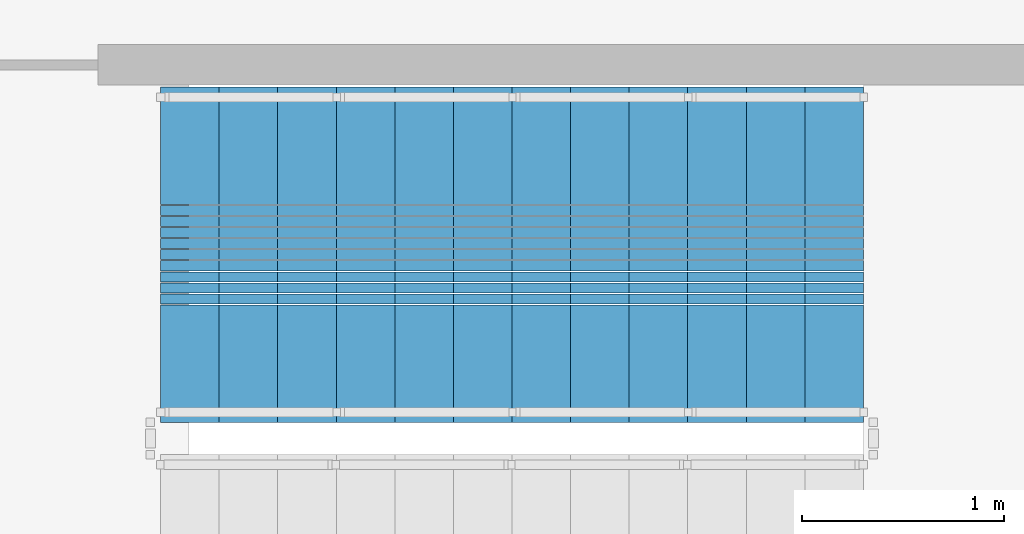
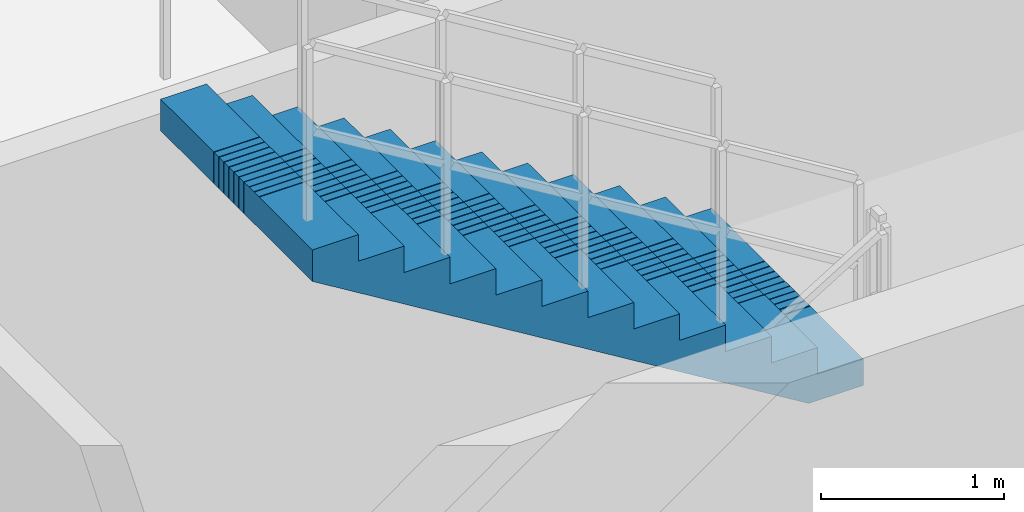
# One storey, part 8 of 12: 1 stair flight, 1 element without a shape of its own.
"""IFC4 building model written with IfcOpenShell, lengths in metres."""

from ifc_helpers import new_model, si_unit, direction, frame, origin, place, context, subcontext, project, spatial, polyline, outline, extrude, material, type_object, element, aggregate, save


model = new_model("IFC4")

# Units and contexts
model_context = context("Model", 3, precision=1e-05, world=origin(), true_north=direction((0.0, 1.0)))
body_context = subcontext(model_context, "Body", "Model", "MODEL_VIEW")
ifc_project = project(units=[si_unit("LENGTHUNIT", "METRE"), si_unit("AREAUNIT", "SQUARE_METRE"), si_unit("VOLUMEUNIT", "CUBIC_METRE"), si_unit("PLANEANGLEUNIT", "RADIAN"), si_unit("MASSUNIT", "GRAM", prefix="KILO")], contexts=[model_context])

# Site, building, storey
site_placement = place(None, origin())
site = spatial("IfcSite", under=ifc_project, at=site_placement, CompositionType="ELEMENT")
building_placement = place(site_placement, origin())
building = spatial("IfcBuilding", under=site, at=building_placement, Name="Saelheon Loggia Tower", CompositionType="ELEMENT")
storey_placement = place(building_placement, frame((0.0, 0.0, -4.60009765625)))
storey = spatial("IfcBuildingStorey", under=building, at=storey_placement, Name="B1", CompositionType="ELEMENT", Elevation=-4.60009765625)

# Stair, stair flight
ifc_material = material(Name="Concrete C40/50", Category="concrete")
stair_type = type_object("IfcStairType", Name="Stair_Escape_Podium", PredefinedType="HALF_TURN_STAIR", material=ifc_material)
stair_placement = place(storey_placement, origin())
stair = element("IfcStair", 1, at=stair_placement, inside=storey, type_object=stair_type, Name="B1 Podium Escape Stair ST4", PredefinedType="HALF_TURN_STAIR")
stair_flight_type = type_object("IfcStairFlightType", Name="StairFlight_Podium_1660", PredefinedType="STRAIGHT", material=ifc_material)
stair_flight_placement = place(storey_placement, frame((69.330078125, 3.449951171875, 2.300048828125), z_axis=(0.0, 0.0, 1.0), x_axis=(-1.0, 0.0, 0.0)))
stair_flight = element("IfcStairFlight", 2, at=stair_flight_placement, type_object=stair_flight_type, Name="ST4 flight 2", NumberOfRisers=13, NumberOfTreads=12, PredefinedType="STRAIGHT", RiserHeight=0.176923077, TreadLength=0.29, context=body_context, shape_type="SweptSolid", body=[
    extrude(outline(polyline([(0.0, 0.0), (0.0, 0.177001953125), (0.2900390625, 0.177001953125), (0.2900390625, 0.353759765625), (0.580078125, 0.353759765625), (0.580078125, 0.53076171875), (0.8701171875, 0.53076171875), (0.8701171875, 0.707763671875), (1.159912109375, 0.707763671875), (1.159912109375, 0.884521484375), (1.449951171875, 0.884521484375), (1.449951171875, 1.0615234375), (1.739990234375, 1.0615234375), (1.739990234375, 1.238525390625), (2.030029296875, 1.238525390625), (2.030029296875, 1.415283203125), (2.320068359375, 1.415283203125), (2.320068359375, 1.59228515625), (2.610107421875, 1.59228515625), (2.610107421875, 1.769287109375), (2.89990234375, 1.769287109375), (2.89990234375, 1.946044921875), (3.18994140625, 1.946044921875), (3.18994140625, 2.123046875), (3.47998046875, 2.123046875), (3.47998046875, 2.300048828125), (3.47998046875, 1.912353515625), (0.345458984375, 0.0), (0.0, 0.0)])), frame((0.0, -0.2490234375, 0.0), z_axis=(0.0, -1.0, 0.0), x_axis=(1.0, 0.0, 0.0)), (0.0, 0.0, 1.0), 0.5810546875),
    extrude(outline(polyline([(0.0, 0.0), (0.0, 0.177001953125), (0.2900390625, 0.177001953125), (0.2900390625, 0.353759765625), (0.580078125, 0.353759765625), (0.580078125, 0.53076171875), (0.8701171875, 0.53076171875), (0.8701171875, 0.707763671875), (1.159912109375, 0.707763671875), (1.159912109375, 0.884521484375), (1.449951171875, 0.884521484375), (1.449951171875, 1.0615234375), (1.739990234375, 1.0615234375), (1.739990234375, 1.238525390625), (2.030029296875, 1.238525390625), (2.030029296875, 1.415283203125), (2.320068359375, 1.415283203125), (2.320068359375, 1.59228515625), (2.610107421875, 1.59228515625), (2.610107421875, 1.769287109375), (2.89990234375, 1.769287109375), (2.89990234375, 1.946044921875), (3.18994140625, 1.946044921875), (3.18994140625, 2.123046875), (3.47998046875, 2.123046875), (3.47998046875, 2.300048828125), (3.47998046875, 1.912353515625), (0.345458984375, 0.0), (0.0, 0.0)])), frame((0.0, -0.194091796875, 0.0), z_axis=(0.0, -1.0, 0.0), x_axis=(1.0, 0.0, 0.0)), (0.0, 0.0, 1.0), 0.0498046875),
    extrude(outline(polyline([(0.0, 0.0), (0.0, 0.177001953125), (0.2900390625, 0.177001953125), (0.2900390625, 0.353759765625), (0.580078125, 0.353759765625), (0.580078125, 0.53076171875), (0.8701171875, 0.53076171875), (0.8701171875, 0.707763671875), (1.159912109375, 0.707763671875), (1.159912109375, 0.884521484375), (1.449951171875, 0.884521484375), (1.449951171875, 1.0615234375), (1.739990234375, 1.0615234375), (1.739990234375, 1.238525390625), (2.030029296875, 1.238525390625), (2.030029296875, 1.415283203125), (2.320068359375, 1.415283203125), (2.320068359375, 1.59228515625), (2.610107421875, 1.59228515625), (2.610107421875, 1.769287109375), (2.89990234375, 1.769287109375), (2.89990234375, 1.946044921875), (3.18994140625, 1.946044921875), (3.18994140625, 2.123046875), (3.47998046875, 2.123046875), (3.47998046875, 2.300048828125), (3.47998046875, 1.912353515625), (0.345458984375, 0.0), (0.0, 0.0)])), frame((0.0, -0.139404296875, 0.0), z_axis=(0.0, -1.0, 0.0), x_axis=(1.0, 0.0, 0.0)), (0.0, 0.0, 1.0), 0.0498046875),
    extrude(outline(polyline([(0.0, 0.0), (0.0, 0.177001953125), (0.2900390625, 0.177001953125), (0.2900390625, 0.353759765625), (0.580078125, 0.353759765625), (0.580078125, 0.53076171875), (0.8701171875, 0.53076171875), (0.8701171875, 0.707763671875), (1.159912109375, 0.707763671875), (1.159912109375, 0.884521484375), (1.449951171875, 0.884521484375), (1.449951171875, 1.0615234375), (1.739990234375, 1.0615234375), (1.739990234375, 1.238525390625), (2.030029296875, 1.238525390625), (2.030029296875, 1.415283203125), (2.320068359375, 1.415283203125), (2.320068359375, 1.59228515625), (2.610107421875, 1.59228515625), (2.610107421875, 1.769287109375), (2.89990234375, 1.769287109375), (2.89990234375, 1.946044921875), (3.18994140625, 1.946044921875), (3.18994140625, 2.123046875), (3.47998046875, 2.123046875), (3.47998046875, 2.300048828125), (3.47998046875, 1.912353515625), (0.345458984375, 0.0), (0.0, 0.0)])), frame((0.0, -0.084716796875, 0.0), z_axis=(0.0, -1.0, 0.0), x_axis=(1.0, 0.0, 0.0)), (0.0, 0.0, 1.0), 0.0498046875),
    extrude(outline(polyline([(0.0, 0.0), (0.0, 0.177001953125), (0.2900390625, 0.177001953125), (0.2900390625, 0.353759765625), (0.580078125, 0.353759765625), (0.580078125, 0.53076171875), (0.8701171875, 0.53076171875), (0.8701171875, 0.707763671875), (1.159912109375, 0.707763671875), (1.159912109375, 0.884521484375), (1.449951171875, 0.884521484375), (1.449951171875, 1.0615234375), (1.739990234375, 1.0615234375), (1.739990234375, 1.238525390625), (2.030029296875, 1.238525390625), (2.030029296875, 1.415283203125), (2.320068359375, 1.415283203125), (2.320068359375, 1.59228515625), (2.610107421875, 1.59228515625), (2.610107421875, 1.769287109375), (2.89990234375, 1.769287109375), (2.89990234375, 1.946044921875), (3.18994140625, 1.946044921875), (3.18994140625, 2.123046875), (3.47998046875, 2.123046875), (3.47998046875, 2.300048828125), (3.47998046875, 1.912353515625), (0.345458984375, 0.0), (0.0, 0.0)])), frame((0.0, -0.02978515625, 0.0), z_axis=(0.0, -1.0, 0.0), x_axis=(1.0, 0.0, 0.0)), (0.0, 0.0, 1.0), 0.0498046875),
    extrude(outline(polyline([(0.0, 0.0), (0.0, 0.177001953125), (0.2900390625, 0.177001953125), (0.2900390625, 0.353759765625), (0.580078125, 0.353759765625), (0.580078125, 0.53076171875), (0.8701171875, 0.53076171875), (0.8701171875, 0.707763671875), (1.159912109375, 0.707763671875), (1.159912109375, 0.884521484375), (1.449951171875, 0.884521484375), (1.449951171875, 1.0615234375), (1.739990234375, 1.0615234375), (1.739990234375, 1.238525390625), (2.030029296875, 1.238525390625), (2.030029296875, 1.415283203125), (2.320068359375, 1.415283203125), (2.320068359375, 1.59228515625), (2.610107421875, 1.59228515625), (2.610107421875, 1.769287109375), (2.89990234375, 1.769287109375), (2.89990234375, 1.946044921875), (3.18994140625, 1.946044921875), (3.18994140625, 2.123046875), (3.47998046875, 2.123046875), (3.47998046875, 2.300048828125), (3.47998046875, 1.912353515625), (0.345458984375, 0.0), (0.0, 0.0)])), frame((0.0, 0.02490234375, 0.0), z_axis=(0.0, -1.0, 0.0), x_axis=(1.0, 0.0, 0.0)), (0.0, 0.0, 1.0), 0.0498046875),
    extrude(outline(polyline([(0.0, 0.0), (0.0, 0.177001953125), (0.2900390625, 0.177001953125), (0.2900390625, 0.353759765625), (0.580078125, 0.353759765625), (0.580078125, 0.53076171875), (0.8701171875, 0.53076171875), (0.8701171875, 0.707763671875), (1.159912109375, 0.707763671875), (1.159912109375, 0.884521484375), (1.449951171875, 0.884521484375), (1.449951171875, 1.0615234375), (1.739990234375, 1.0615234375), (1.739990234375, 1.238525390625), (2.030029296875, 1.238525390625), (2.030029296875, 1.415283203125), (2.320068359375, 1.415283203125), (2.320068359375, 1.59228515625), (2.610107421875, 1.59228515625), (2.610107421875, 1.769287109375), (2.89990234375, 1.769287109375), (2.89990234375, 1.946044921875), (3.18994140625, 1.946044921875), (3.18994140625, 2.123046875), (3.47998046875, 2.123046875), (3.47998046875, 2.300048828125), (3.47998046875, 1.912353515625), (0.345458984375, 0.0), (0.0, 0.0)])), frame((0.0, 0.07958984375, 0.0), z_axis=(0.0, -1.0, 0.0), x_axis=(1.0, 0.0, 0.0)), (0.0, 0.0, 1.0), 0.0498046875),
    extrude(outline(polyline([(0.0, 0.0), (0.0, 0.177001953125), (0.2900390625, 0.177001953125), (0.2900390625, 0.353759765625), (0.580078125, 0.353759765625), (0.580078125, 0.53076171875), (0.8701171875, 0.53076171875), (0.8701171875, 0.707763671875), (1.159912109375, 0.707763671875), (1.159912109375, 0.884521484375), (1.449951171875, 0.884521484375), (1.449951171875, 1.0615234375), (1.739990234375, 1.0615234375), (1.739990234375, 1.238525390625), (2.030029296875, 1.238525390625), (2.030029296875, 1.415283203125), (2.320068359375, 1.415283203125), (2.320068359375, 1.59228515625), (2.610107421875, 1.59228515625), (2.610107421875, 1.769287109375), (2.89990234375, 1.769287109375), (2.89990234375, 1.946044921875), (3.18994140625, 1.946044921875), (3.18994140625, 2.123046875), (3.47998046875, 2.123046875), (3.47998046875, 2.300048828125), (3.47998046875, 1.912353515625), (0.345458984375, 0.0), (0.0, 0.0)])), frame((0.0, 0.134521484375, 0.0), z_axis=(0.0, -1.0, 0.0), x_axis=(1.0, 0.0, 0.0)), (0.0, 0.0, 1.0), 0.0498046875),
    extrude(outline(polyline([(0.0, 0.0), (0.0, 0.177001953125), (0.2900390625, 0.177001953125), (0.2900390625, 0.353759765625), (0.580078125, 0.353759765625), (0.580078125, 0.53076171875), (0.8701171875, 0.53076171875), (0.8701171875, 0.707763671875), (1.159912109375, 0.707763671875), (1.159912109375, 0.884521484375), (1.449951171875, 0.884521484375), (1.449951171875, 1.0615234375), (1.739990234375, 1.0615234375), (1.739990234375, 1.238525390625), (2.030029296875, 1.238525390625), (2.030029296875, 1.415283203125), (2.320068359375, 1.415283203125), (2.320068359375, 1.59228515625), (2.610107421875, 1.59228515625), (2.610107421875, 1.769287109375), (2.89990234375, 1.769287109375), (2.89990234375, 1.946044921875), (3.18994140625, 1.946044921875), (3.18994140625, 2.123046875), (3.47998046875, 2.123046875), (3.47998046875, 2.300048828125), (3.47998046875, 1.912353515625), (0.345458984375, 0.0), (0.0, 0.0)])), frame((0.0, 0.189208984375, 0.0), z_axis=(0.0, -1.0, 0.0), x_axis=(1.0, 0.0, 0.0)), (0.0, 0.0, 1.0), 0.0498046875),
    extrude(outline(polyline([(0.0, 0.0), (0.0, 0.177001953125), (0.2900390625, 0.177001953125), (0.2900390625, 0.353759765625), (0.580078125, 0.353759765625), (0.580078125, 0.53076171875), (0.8701171875, 0.53076171875), (0.8701171875, 0.707763671875), (1.159912109375, 0.707763671875), (1.159912109375, 0.884521484375), (1.449951171875, 0.884521484375), (1.449951171875, 1.0615234375), (1.739990234375, 1.0615234375), (1.739990234375, 1.238525390625), (2.030029296875, 1.238525390625), (2.030029296875, 1.415283203125), (2.320068359375, 1.415283203125), (2.320068359375, 1.59228515625), (2.610107421875, 1.59228515625), (2.610107421875, 1.769287109375), (2.89990234375, 1.769287109375), (2.89990234375, 1.946044921875), (3.18994140625, 1.946044921875), (3.18994140625, 2.123046875), (3.47998046875, 2.123046875), (3.47998046875, 2.300048828125), (3.47998046875, 1.912353515625), (0.345458984375, 0.0), (0.0, 0.0)])), frame((0.0, 0.243896484375, 0.0), z_axis=(0.0, -1.0, 0.0), x_axis=(1.0, 0.0, 0.0)), (0.0, 0.0, 1.0), 0.0498046875),
    extrude(outline(polyline([(0.0, 0.0), (0.0, 0.177001953125), (0.2900390625, 0.177001953125), (0.2900390625, 0.353759765625), (0.580078125, 0.353759765625), (0.580078125, 0.53076171875), (0.8701171875, 0.53076171875), (0.8701171875, 0.707763671875), (1.159912109375, 0.707763671875), (1.159912109375, 0.884521484375), (1.449951171875, 0.884521484375), (1.449951171875, 1.0615234375), (1.739990234375, 1.0615234375), (1.739990234375, 1.238525390625), (2.030029296875, 1.238525390625), (2.030029296875, 1.415283203125), (2.320068359375, 1.415283203125), (2.320068359375, 1.59228515625), (2.610107421875, 1.59228515625), (2.610107421875, 1.769287109375), (2.89990234375, 1.769287109375), (2.89990234375, 1.946044921875), (3.18994140625, 1.946044921875), (3.18994140625, 2.123046875), (3.47998046875, 2.123046875), (3.47998046875, 2.300048828125), (3.47998046875, 1.912353515625), (0.345458984375, 0.0), (0.0, 0.0)])), frame((0.0, 0.830078125, 0.0), z_axis=(0.0, -1.0, 0.0), x_axis=(1.0, 0.0, 0.0)), (0.0, 0.0, 1.0), 0.5810546875),
])
aggregate(stair, [stair_flight])

save(model, "model.ifc")
